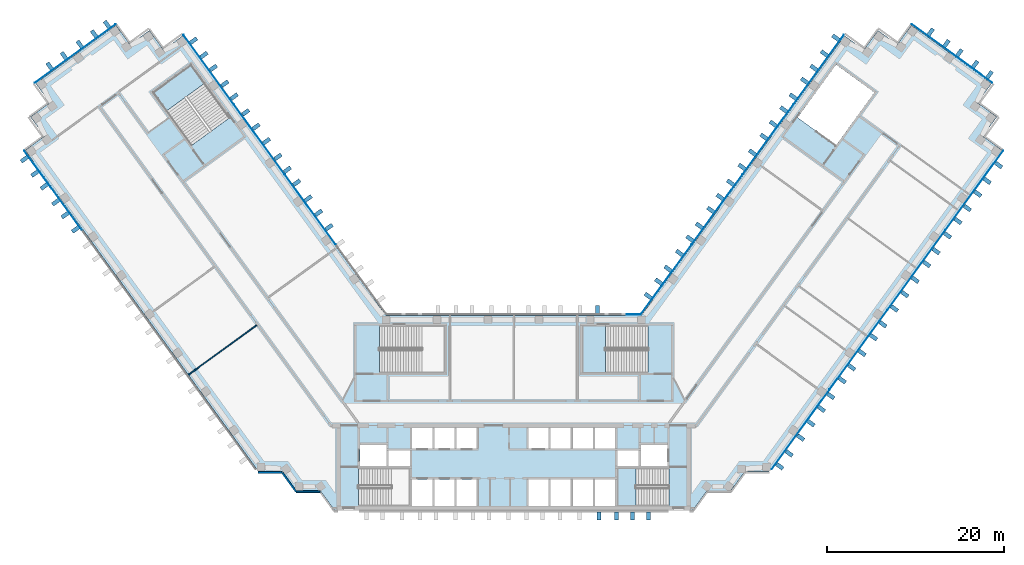
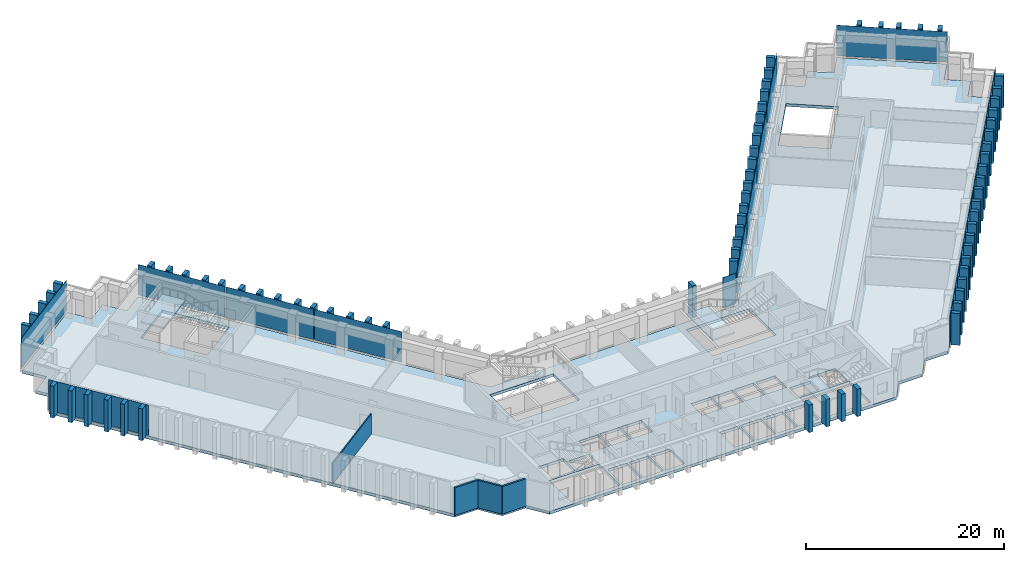
"""IFC4 building model written with IfcOpenShell, lengths in metres."""

from ifc_helpers import new_model, si_unit, direction, frame, frame_2d, origin, origin_2d, place, context, subcontext, project, spatial, polyline, rectangle, outline, extrude, material, layer, layer_set, type_object, element, aggregate, save


model = new_model("IFC4")

# Units and contexts
model_context = context("Model", 3, precision=1e-05, world=origin(), true_north=direction((0.0, 1.0)))
body_context = subcontext(model_context, "Body", "Model", "MODEL_VIEW")
ifc_project = project(units=[si_unit("LENGTHUNIT", "METRE"), si_unit("AREAUNIT", "SQUARE_METRE"), si_unit("VOLUMEUNIT", "CUBIC_METRE"), si_unit("PLANEANGLEUNIT", "RADIAN"), si_unit("MASSUNIT", "GRAM", prefix="KILO")], contexts=[model_context])

# Site, building, storey
site_placement = place(None, origin())
site = spatial("IfcSite", under=ifc_project, at=site_placement, CompositionType="ELEMENT")
building_placement = place(site_placement, origin())
building = spatial("IfcBuilding", under=site, at=building_placement, Name="Quipu Civic Tower", CompositionType="ELEMENT")
storey_1_placement = place(building_placement, frame((0.0, 0.0, 75.0)))
storey_1 = spatial("IfcBuildingStorey", under=building, at=storey_1_placement, Name="L17", CompositionType="ELEMENT", Elevation=75.0)

# Slab
ifc_material_1 = material(Name="Concrete C40/50", Category="concrete")
ifc_layer_1 = layer(ifc_material_1, 0.35009765625)
ifc_layer_set_1 = layer_set([ifc_layer_1], Name="Concrete C40/50")
slab_type_1 = type_object("IfcSlabType", Name="Floor slab 350 C40/50", PredefinedType="FLOOR", material=ifc_layer_set_1)
slab_1_placement = place(storey_1_placement, frame((0.0, 0.0, -0.35009765625)))
element("IfcSlab", 1, at=slab_1_placement, inside=storey_1, type_object=slab_type_1, Name="Floor slab L17", PredefinedType="FLOOR", context=body_context, shape_type="SweptSolid", body=[
    extrude(outline(polyline([(37.31494140625, 42.550048828125), (39.5, 40.9599609375), (41.0849609375, 43.14501953125), (43.27001953125, 41.56005859375), (44.860107421875, 43.739990234375), (53.919921875, 37.159912109375), (52.3349609375, 34.97509765625), (54.514892578125, 33.389892578125), (52.929931640625, 31.205078125), (55.114990234375, 29.614990234375), (28.780029296875, -6.6298828125), (26.080078125, -6.6298828125), (24.489990234375, -8.81494140625), (21.7900390625, -8.81494140625), (20.205078125, -11.0), (-20.205078125, -11.0), (-21.7900390625, -8.81494140625), (-24.489990234375, -8.81494140625), (-26.080078125, -6.6298828125), (-28.780029296875, -6.6298828125), (-55.114990234375, 29.614990234375), (-52.929931640625, 31.205078125), (-54.514892578125, 33.389892578125), (-52.3349609375, 34.97509765625), (-53.919921875, 37.159912109375), (-44.860107421875, 43.739990234375), (-43.27001953125, 41.56005859375), (-41.0849609375, 43.14501953125), (-39.5, 40.9599609375), (-37.31494140625, 42.550048828125), (-14.39501953125, 11.0), (14.39501953125, 11.0), (37.31494140625, 42.550048828125)]), holes=[polyline([(-11.449951171875, -7.5), (-11.449951171875, -10.5), (-9.14990234375, -10.5), (-9.14990234375, -7.5), (-11.449951171875, -7.5)]), polyline([(-6.64990234375, -7.5), (-8.949951171875, -7.5), (-8.949951171875, -10.5), (-6.64990234375, -10.5), (-6.64990234375, -7.5)]), polyline([(-4.14990234375, -7.5), (-6.449951171875, -7.5), (-6.449951171875, -10.5), (-4.14990234375, -10.5), (-4.14990234375, -7.5)]), polyline([(1.64990234375, -7.5), (1.64990234375, -10.5), (3.949951171875, -10.5), (3.949951171875, -7.5), (1.64990234375, -7.5)]), polyline([(-11.705078125, -10.4951171875), (-11.705078125, -6.2548828125), (-17.4951171875, -6.2548828125), (-17.4951171875, -10.4951171875), (-11.705078125, -10.4951171875)]), polyline([(-11.699951171875, -4.25), (-14.10009765625, -4.25), (-14.10009765625, -6.0), (-11.699951171875, -6.0), (-11.699951171875, -4.25)]), polyline([(-17.35009765625, -3.60009765625), (-17.35009765625, -6.0), (-14.35009765625, -6.0), (-14.35009765625, -3.60009765625), (-17.35009765625, -3.60009765625)]), polyline([(-9.14990234375, -1.699951171875), (-11.449951171875, -1.699951171875), (-11.449951171875, -4.0), (-9.14990234375, -4.0), (-9.14990234375, -1.699951171875)]), polyline([(-6.64990234375, -1.699951171875), (-8.949951171875, -1.699951171875), (-8.949951171875, -4.0), (-6.64990234375, -4.0), (-6.64990234375, -1.699951171875)]), polyline([(-6.449951171875, -1.699951171875), (-6.449951171875, -4.0), (-4.14990234375, -4.0), (-4.14990234375, -1.699951171875), (-6.449951171875, -1.699951171875)]), polyline([(-7.7548828125, 4.5048828125), (-7.7548828125, 9.844970703125), (-15.14501953125, 9.844970703125), (-15.14501953125, 4.5048828125), (-7.7548828125, 4.5048828125)]), polyline([(-36.364990234375, 39.27490234375), (-40.68505859375, 36.135009765625), (-36.344970703125, 30.159912109375), (-32.02490234375, 33.300048828125), (-36.364990234375, 39.27490234375)]), polyline([(4.14990234375, -7.5), (4.14990234375, -10.5), (6.449951171875, -10.5), (6.449951171875, -7.5), (4.14990234375, -7.5)]), polyline([(8.949951171875, -7.5), (6.64990234375, -7.5), (6.64990234375, -10.5), (8.949951171875, -10.5), (8.949951171875, -7.5)]), polyline([(11.449951171875, -7.5), (9.14990234375, -7.5), (9.14990234375, -10.5), (11.449951171875, -10.5), (11.449951171875, -7.5)]), polyline([(11.705078125, -10.4951171875), (17.4951171875, -10.4951171875), (17.4951171875, -6.2548828125), (11.705078125, -6.2548828125), (11.705078125, -10.4951171875)]), polyline([(14.10009765625, -4.25), (11.699951171875, -4.25), (11.699951171875, -6.0), (14.10009765625, -6.0), (14.10009765625, -4.25)]), polyline([(17.35009765625, -3.60009765625), (14.35009765625, -3.60009765625), (14.35009765625, -6.0), (17.35009765625, -6.0), (17.35009765625, -3.60009765625)]), polyline([(1.64990234375, -1.699951171875), (1.64990234375, -4.0), (3.949951171875, -4.0), (3.949951171875, -1.699951171875), (1.64990234375, -1.699951171875)]), polyline([(6.449951171875, -1.699951171875), (4.14990234375, -1.699951171875), (4.14990234375, -4.0), (6.449951171875, -4.0), (6.449951171875, -1.699951171875)]), polyline([(8.949951171875, -1.699951171875), (6.64990234375, -1.699951171875), (6.64990234375, -4.0), (8.949951171875, -4.0), (8.949951171875, -1.699951171875)]), polyline([(9.14990234375, -1.699951171875), (9.14990234375, -4.0), (11.449951171875, -4.0), (11.449951171875, -1.699951171875), (9.14990234375, -1.699951171875)]), polyline([(7.7548828125, 9.844970703125), (7.7548828125, 4.5048828125), (15.14501953125, 4.5048828125), (15.14501953125, 9.844970703125), (7.7548828125, 9.844970703125)]), polyline([(40.68505859375, 36.135009765625), (36.364990234375, 39.27490234375), (32.02490234375, 33.300048828125), (36.344970703125, 30.159912109375), (40.68505859375, 36.135009765625)])]), origin(), (0.0, 0.0, 1.0), 0.35009765625),
])

# Storey
storey_2_placement = place(building_placement, frame((0.0, 0.0, 71.0)))
storey_2 = spatial("IfcBuildingStorey", under=building, at=storey_2_placement, Name="L16", CompositionType="ELEMENT", Elevation=71.0)

# Curtain wall, plates
ifc_material_2 = material(Name="Insulated glass unit", Category="glass")
curtain_wall_type = type_object("IfcCurtainWallType", Name="Office curtain wall CW1", PredefinedType="NOTDEFINED", material=ifc_material_2)
curtain_wall_1_placement = place(storey_2_placement, origin())
curtain_wall_1 = element("IfcCurtainWall", 2, at=curtain_wall_1_placement, inside=storey_2, type_object=curtain_wall_type, Name="Office curtain wall CW1 L15 run 1", PredefinedType="NOTDEFINED")
ifc_material_3 = material(Name="Insulated glass unit", Category="glass")
ifc_layer_2 = layer(ifc_material_3, 0.028076171875)
ifc_layer_set_2 = layer_set([ifc_layer_2], Name="Insulated glass unit")
plate_type_1 = type_object("IfcPlateType", Name="Glass panel CW1", PredefinedType="CURTAIN_PANEL", material=ifc_layer_set_2)
plate_1_placement = place(storey_1_placement, frame((-22.950439453125, 22.9453125, 0.16015625), z_axis=(0.0, 0.0, 1.0), x_axis=(-0.587785887566, 0.809016532822, 0.0)))
plate_1 = element("IfcPlate", 3, at=plate_1_placement, inside=storey_1, type_object=plate_type_1, Name="CW1 panel 2.3", PredefinedType="CURTAIN_PANEL", context=body_context, shape_type="SweptSolid", body=[
    extrude(rectangle(XDim=9.68115234375, YDim=0.028076171875, at=origin_2d()), origin(), (0.0, 0.0, 1.0), 3.760009765625),
])
plate_2_placement = place(storey_1_placement, frame((-28.687744140625, 30.84228515625, 0.16015625), z_axis=(0.0, 0.0, 1.0), x_axis=(-0.587785887566, 0.809016532822, 0.0)))
plate_2 = element("IfcPlate", 4, at=plate_2_placement, inside=storey_1, type_object=plate_type_1, Name="CW1 panel 3.3", PredefinedType="CURTAIN_PANEL", context=body_context, shape_type="SweptSolid", body=[
    extrude(rectangle(XDim=9.68115234375, YDim=0.028076171875, at=origin_2d()), origin(), (0.0, 0.0, 1.0), 3.760009765625),
])
plate_3_placement = place(storey_1_placement, frame((-34.413330078125, 38.722900390625, 0.16015625), z_axis=(0.0, 0.0, 1.0), x_axis=(-0.587785887566, 0.809016532822, 0.0)))
plate_3 = element("IfcPlate", 5, at=plate_3_placement, inside=storey_1, type_object=plate_type_1, Name="CW1 panel 4.3", PredefinedType="CURTAIN_PANEL", context=body_context, shape_type="SweptSolid", body=[
    extrude(rectangle(XDim=9.64111328125, YDim=0.028076171875, at=origin_2d()), origin(), (0.0, 0.0, 1.0), 3.760009765625),
])
aggregate(curtain_wall_1, [plate_1, plate_2, plate_3])

# Curtain wall, plate
curtain_wall_2_placement = place(storey_2_placement, origin())
curtain_wall_2 = element("IfcCurtainWall", 6, at=curtain_wall_2_placement, inside=storey_2, type_object=curtain_wall_type, Name="Office curtain wall CW1 L15 run 6", PredefinedType="NOTDEFINED")
plate_4_placement = place(storey_1_placement, frame((-49.447998046875, 40.53173828125, 0.16015625), z_axis=(0.0, 0.0, 1.0), x_axis=(-0.809019348124, -0.587782012621, 0.0)))
plate_4 = element("IfcPlate", 7, at=plate_4_placement, inside=storey_1, type_object=plate_type_1, Name="CW1 panel 1.3", PredefinedType="CURTAIN_PANEL", context=body_context, shape_type="SweptSolid", body=[
    extrude(rectangle(XDim=11.239990234375, YDim=0.028076171875, at=origin_2d()), origin(), (0.0, 0.0, 1.0), 3.760009765625),
])
aggregate(curtain_wall_2, [plate_4])

curtain_wall_3_placement = place(storey_2_placement, origin())
curtain_wall_3 = element("IfcCurtainWall", 8, at=curtain_wall_3_placement, inside=storey_2, type_object=curtain_wall_type, Name="Office curtain wall CW1 L15 run 8", PredefinedType="NOTDEFINED")
plate_5_placement = place(storey_1_placement, frame((-51.967529296875, 25.114990234375, 0.16015625), z_axis=(0.0, 0.0, 1.0), x_axis=(0.587785559869, -0.809016770908, 0.0)))
plate_5 = element("IfcPlate", 9, at=plate_5_placement, inside=storey_1, type_object=plate_type_1, Name="CW1 panel 1.3", PredefinedType="CURTAIN_PANEL", context=body_context, shape_type="SweptSolid", body=[
    extrude(rectangle(XDim=11.022705078125, YDim=0.028076171875, at=origin_2d()), origin(), (0.0, 0.0, 1.0), 3.760009765625),
])
aggregate(curtain_wall_3, [plate_5])

# Curtain wall, plates
curtain_wall_4_placement = place(storey_2_placement, origin())
curtain_wall_4 = element("IfcCurtainWall", 10, at=curtain_wall_4_placement, inside=storey_2, type_object=curtain_wall_type, Name="Office curtain wall CW1 L15 run 20", PredefinedType="NOTDEFINED")
plate_6_placement = place(storey_1_placement, frame((32.342529296875, -1.896484375, 0.16015625), z_axis=(0.0, 0.0, 1.0), x_axis=(0.587785559869, 0.809016770908, 0.0)))
plate_6 = element("IfcPlate", 11, at=plate_6_placement, inside=storey_1, type_object=plate_type_1, Name="CW1 panel 1.3", PredefinedType="CURTAIN_PANEL", context=body_context, shape_type="SweptSolid", body=[
    extrude(rectangle(XDim=11.022705078125, YDim=0.028076171875, at=origin_2d()), origin(), (0.0, 0.0, 1.0), 3.760009765625),
])
plate_7_placement = place(storey_1_placement, frame((38.880126953125, 7.101806640625, 0.16015625), z_axis=(0.0, 0.0, 1.0), x_axis=(0.587785559869, 0.809016770908, 0.0)))
plate_7 = element("IfcPlate", 12, at=plate_7_placement, inside=storey_1, type_object=plate_type_1, Name="CW1 panel 2.3", PredefinedType="CURTAIN_PANEL", context=body_context, shape_type="SweptSolid", body=[
    extrude(rectangle(XDim=11.062744140625, YDim=0.028076171875, at=origin_2d()), origin(), (0.0, 0.0, 1.0), 3.760009765625),
])
plate_8_placement = place(storey_1_placement, frame((45.4296875, 16.11669921875, 0.16015625), z_axis=(0.0, 0.0, 1.0), x_axis=(0.587785559869, 0.809016770908, 0.0)))
plate_8 = element("IfcPlate", 13, at=plate_8_placement, inside=storey_1, type_object=plate_type_1, Name="CW1 panel 3.3", PredefinedType="CURTAIN_PANEL", context=body_context, shape_type="SweptSolid", body=[
    extrude(rectangle(XDim=11.062744140625, YDim=0.028076171875, at=origin_2d()), origin(), (0.0, 0.0, 1.0), 3.760009765625),
])
plate_9_placement = place(storey_1_placement, frame((51.967529296875, 25.114990234375, 0.16015625), z_axis=(0.0, 0.0, 1.0), x_axis=(0.587785559869, 0.809016770908, 0.0)))
plate_9 = element("IfcPlate", 14, at=plate_9_placement, inside=storey_1, type_object=plate_type_1, Name="CW1 panel 4.3", PredefinedType="CURTAIN_PANEL", context=body_context, shape_type="SweptSolid", body=[
    extrude(rectangle(XDim=11.022705078125, YDim=0.028076171875, at=origin_2d()), origin(), (0.0, 0.0, 1.0), 3.760009765625),
])
aggregate(curtain_wall_4, [plate_6, plate_7, plate_8, plate_9])

# Curtain wall, plate
curtain_wall_5_placement = place(storey_2_placement, origin())
curtain_wall_5 = element("IfcCurtainWall", 15, at=curtain_wall_5_placement, inside=storey_2, type_object=curtain_wall_type, Name="Office curtain wall CW1 L15 run 25", PredefinedType="NOTDEFINED")
plate_10_placement = place(storey_1_placement, frame((49.447998046875, 40.53173828125, 0.16015625), z_axis=(0.0, 0.0, 1.0), x_axis=(-0.809019348124, 0.587782012621, 0.0)))
plate_10 = element("IfcPlate", 16, at=plate_10_placement, inside=storey_1, type_object=plate_type_1, Name="CW1 panel 1.3", PredefinedType="CURTAIN_PANEL", context=body_context, shape_type="SweptSolid", body=[
    extrude(rectangle(XDim=11.239990234375, YDim=0.028076171875, at=origin_2d()), origin(), (0.0, 0.0, 1.0), 3.760009765625),
])
aggregate(curtain_wall_5, [plate_10])

# Curtain wall, plates
curtain_wall_6_placement = place(storey_2_placement, origin())
curtain_wall_6 = element("IfcCurtainWall", 17, at=curtain_wall_6_placement, inside=storey_2, type_object=curtain_wall_type, Name="Office curtain wall CW1 L15 run 30", PredefinedType="NOTDEFINED")
plate_11_placement = place(storey_1_placement, frame((34.413330078125, 38.722900390625, 0.16015625), z_axis=(0.0, 0.0, 1.0), x_axis=(-0.587785887566, -0.809016532822, 0.0)))
plate_11 = element("IfcPlate", 18, at=plate_11_placement, inside=storey_1, type_object=plate_type_1, Name="CW1 panel 1.3", PredefinedType="CURTAIN_PANEL", context=body_context, shape_type="SweptSolid", body=[
    extrude(rectangle(XDim=9.64111328125, YDim=0.028076171875, at=origin_2d()), origin(), (0.0, 0.0, 1.0), 3.760009765625),
])
plate_12_placement = place(storey_1_placement, frame((28.687744140625, 30.84228515625, 0.16015625), z_axis=(0.0, 0.0, 1.0), x_axis=(-0.587785887566, -0.809016532822, 0.0)))
plate_12 = element("IfcPlate", 19, at=plate_12_placement, inside=storey_1, type_object=plate_type_1, Name="CW1 panel 2.3", PredefinedType="CURTAIN_PANEL", context=body_context, shape_type="SweptSolid", body=[
    extrude(rectangle(XDim=9.68115234375, YDim=0.028076171875, at=origin_2d()), origin(), (0.0, 0.0, 1.0), 3.760009765625),
])
plate_13_placement = place(storey_1_placement, frame((22.950439453125, 22.9453125, 0.16015625), z_axis=(0.0, 0.0, 1.0), x_axis=(-0.587785887566, -0.809016532822, 0.0)))
plate_13 = element("IfcPlate", 20, at=plate_13_placement, inside=storey_1, type_object=plate_type_1, Name="CW1 panel 3.3", PredefinedType="CURTAIN_PANEL", context=body_context, shape_type="SweptSolid", body=[
    extrude(rectangle(XDim=9.68115234375, YDim=0.028076171875, at=origin_2d()), origin(), (0.0, 0.0, 1.0), 3.760009765625),
])
plate_14_placement = place(storey_1_placement, frame((17.224609375, 15.064697265625, 0.16015625), z_axis=(0.0, 0.0, 1.0), x_axis=(-0.587785887566, -0.809016532822, 0.0)))
plate_14 = element("IfcPlate", 21, at=plate_14_placement, inside=storey_1, type_object=plate_type_1, Name="CW1 panel 4.3", PredefinedType="CURTAIN_PANEL", context=body_context, shape_type="SweptSolid", body=[
    extrude(rectangle(XDim=9.64111328125, YDim=0.028076171875, at=origin_2d()), origin(), (0.0, 0.0, 1.0), 3.760009765625),
])
aggregate(curtain_wall_6, [plate_11, plate_12, plate_13, plate_14])

# Curtain wall, plate
curtain_wall_7_placement = place(storey_2_placement, origin())
curtain_wall_7 = element("IfcCurtainWall", 22, at=curtain_wall_7_placement, inside=storey_2, type_object=curtain_wall_type, Name="Office curtain wall CW1 L15 run 31", PredefinedType="NOTDEFINED")
plate_15_placement = place(storey_1_placement, frame((13.49951171875, 11.10009765625, 0.16015625), z_axis=(0.0, 0.0, 1.0), x_axis=(-1.0, 0.0, 0.0)))
plate_15 = element("IfcPlate", 23, at=plate_15_placement, inside=storey_1, type_object=plate_type_1, Name="CW1 panel 1.3", PredefinedType="CURTAIN_PANEL", context=body_context, shape_type="SweptSolid", body=[
    extrude(rectangle(XDim=1.529296875, YDim=0.028076171875, at=origin_2d()), origin(), (0.0, 0.0, 1.0), 3.760009765625),
])
aggregate(curtain_wall_7, [plate_15])

# Plates
ifc_material_4 = material(Name="Precast concrete C40/50", Category="concrete")
plate_type_2 = type_object("IfcPlateType", Name="Precast fin F1", PredefinedType="SHEET", material=ifc_material_4)
for number, where, z_axis, x_axis, name in (
    (24, (-20.81982421875, 20.94873046875, 0.080078125), (0.0, 0.0, 1.0), (-0.587784944053, 0.809017218324, 0.0), "Precast fin F1 L17.P01.6"),
    (25, (-21.995361328125, 22.566650390625, 0.080078125), (0.0, 0.0, 1.0), (-0.587784944053, 0.809017218324, 0.0), "Precast fin F1 L17.P01.7"),
    (26, (-23.171142578125, 24.184814453125, 0.080078125), (0.0, 0.0, 1.0), (-0.587784944053, 0.809017218324, 0.0), "Precast fin F1 L17.P01.8"),
    (27, (-24.464111328125, 25.964599609375, 0.080078125), (0.0, 0.0, 1.0), (-0.587784944053, 0.809017218324, 0.0), "Precast fin F1 L17.P01.9"),
    (28, (-25.522216796875, 27.4208984375, 0.080078125), (0.0, 0.0, 1.0), (-0.587784944053, 0.809017218324, 0.0), "Precast fin F1 L17.P01.10"),
    (29, (-26.580078125, 28.876953125, 0.080078125), (0.0, 0.0, 1.0), (-0.587784944053, 0.809017218324, 0.0), "Precast fin F1 L17.P01.11"),
    (30, (-27.873291015625, 30.656982421875, 0.080078125), (0.0, 0.0, 1.0), (-0.587784944053, 0.809017218324, 0.0), "Precast fin F1 L17.P01.12"),
    (31, (-29.048828125, 32.27490234375, 0.080078125), (0.0, 0.0, 1.0), (-0.587784944053, 0.809017218324, 0.0), "Precast fin F1 L17.P01.13"),
    (32, (-30.224365234375, 33.89306640625, 0.080078125), (0.0, 0.0, 1.0), (-0.587784944053, 0.809017218324, 0.0), "Precast fin F1 L17.P01.14"),
    (33, (-31.517578125, 35.6728515625, 0.080078125), (0.0, 0.0, 1.0), (-0.587784944053, 0.809017218324, 0.0), "Precast fin F1 L17.P01.15"),
    (34, (-32.57568359375, 37.129150390625, 0.080078125), (0.0, 0.0, 1.0), (-0.587784944053, 0.809017218324, 0.0), "Precast fin F1 L17.P01.16"),
    (35, (-33.86865234375, 38.908935546875, 0.080078125), (0.0, 0.0, 1.0), (-0.587784944053, 0.809017218324, 0.0), "Precast fin F1 L17.P01.17"),
    (36, (-34.9267578125, 40.364990234375, 0.080078125), (0.0, 0.0, 1.0), (-0.587784944053, 0.809017218324, 0.0), "Precast fin F1 L17.P01.18"),
    (37, (-36.102294921875, 41.983154296875, 0.080078125), (0.0, 0.0, 1.0), (-0.587784944053, 0.809017218324, 0.0), "Precast fin F1 L17.P01.19"),
    (38, (-45.867919921875, 43.812744140625, 0.080078125), (0.0, 0.0, 1.0), (-0.809021318545, -0.587779300537, 0.0), "Precast fin F1 L17.P06.1"),
    (39, (-47.323974609375, 42.754638671875, 0.080078125), (0.0, 0.0, 1.0), (-0.809021318545, -0.587779300537, 0.0), "Precast fin F1 L17.P06.2"),
    (40, (-48.942138671875, 41.5791015625, 0.080078125), (0.0, 0.0, 1.0), (-0.809021318545, -0.587779300537, 0.0), "Precast fin F1 L17.P06.3"),
    (41, (-50.721923828125, 40.2861328125, 0.080078125), (0.0, 0.0, 1.0), (-0.809021318545, -0.587779300537, 0.0), "Precast fin F1 L17.P06.4"),
    (42, (-52.340087890625, 39.110595703125, 0.080078125), (0.0, 0.0, 1.0), (-0.809021318545, -0.587779300537, 0.0), "Precast fin F1 L17.P06.5"),
    (43, (-55.184814453125, 28.607421875, 0.080078125), (0.0, 0.0, 1.0), (0.587785716149, -0.809016657363, 0.0), "Precast fin F1 L17.P08.1"),
    (44, (-54.00927734375, 26.989501953125, 0.080078125), (0.0, 0.0, 1.0), (0.587785716149, -0.809016657363, 0.0), "Precast fin F1 L17.P08.2"),
    (45, (-52.951171875, 25.533203125, 0.080078125), (0.0, 0.0, 1.0), (0.587785716149, -0.809016657363, 0.0), "Precast fin F1 L17.P08.3"),
    (46, (-51.657958984375, 23.75341796875, 0.080078125), (0.0, 0.0, 1.0), (0.587785716149, -0.809016657363, 0.0), "Precast fin F1 L17.P08.4"),
    (47, (-50.60009765625, 22.297119140625, 0.080078125), (0.0, 0.0, 1.0), (0.587785716149, -0.809016657363, 0.0), "Precast fin F1 L17.P08.5"),
    (48, (-49.42431640625, 20.67919921875, 0.080078125), (0.0, 0.0, 1.0), (0.587785716149, -0.809016657363, 0.0), "Precast fin F1 L17.P08.6"),
):
    element("IfcPlate", number, at=place(storey_1_placement, frame(where, z_axis=z_axis, x_axis=x_axis)), inside=storey_1, type_object=plate_type_2, Name=name, PredefinedType="SHEET", context=body_context, shape_type="SweptSolid", body=[
        extrude(rectangle(XDim=0.449951171875, YDim=0.89990234375, at=origin_2d()), origin(), (0.0, 0.0, 1.0), 3.919921875),
    ])
for number, where, z_axis, x_axis, name in (
    (49, (9.625, -11.637939453125, 0.0), (0.0, 0.0, 1.0), (1.0, 0.0, 0.0), "Precast fin F1 L17.P15.14"),
    (50, (11.625, -11.637939453125, 0.0), (0.0, 0.0, 1.0), (1.0, 0.0, 0.0), "Precast fin F1 L17.P15.15"),
    (51, (13.425048828125, -11.637939453125, 0.0), (0.0, 0.0, 1.0), (1.0, 0.0, 0.0), "Precast fin F1 L17.P15.16"),
    (52, (15.22509765625, -11.637939453125, 0.0), (0.0, 0.0, 1.0), (1.0, 0.0, 0.0), "Precast fin F1 L17.P15.17"),
):
    element("IfcPlate", number, at=place(storey_1_placement, frame(where, z_axis=z_axis, x_axis=x_axis)), inside=storey_1, type_object=plate_type_2, Name=name, PredefinedType="SHEET", context=body_context, shape_type="SweptSolid", body=[
        extrude(rectangle(XDim=0.449951171875, YDim=0.89990234375, at=origin_2d()), origin(), (0.0, 0.0, 1.0), 3.39990234375),
    ])
for number, where, z_axis, x_axis, name in (
    (53, (30.014892578125, -6.03564453125, 0.080078125), (0.0, 0.0, 1.0), (0.587785716149, 0.809016657363, 0.0), "Precast fin F1 L17.P21.1"),
    (54, (31.072998046875, -4.57958984375, 0.080078125), (0.0, 0.0, 1.0), (0.587785716149, 0.809016657363, 0.0), "Precast fin F1 L17.P21.2"),
    (55, (32.365966796875, -2.7998046875, 0.080078125), (0.0, 0.0, 1.0), (0.587785716149, 0.809016657363, 0.0), "Precast fin F1 L17.P21.3"),
    (56, (33.541748046875, -1.181640625, 0.080078125), (0.0, 0.0, 1.0), (0.587785716149, 0.809016657363, 0.0), "Precast fin F1 L17.P21.4"),
    (57, (34.71728515625, 0.436279296875, 0.080078125), (0.0, 0.0, 1.0), (0.587785716149, 0.809016657363, 0.0), "Precast fin F1 L17.P21.5"),
    (58, (35.775146484375, 1.892578125, 0.080078125), (0.0, 0.0, 1.0), (0.587785716149, 0.809016657363, 0.0), "Precast fin F1 L17.P21.6"),
    (59, (37.068359375, 3.67236328125, 0.080078125), (0.0, 0.0, 1.0), (0.587785716149, 0.809016657363, 0.0), "Precast fin F1 L17.P21.7"),
    (60, (38.12646484375, 5.128662109375, 0.080078125), (0.0, 0.0, 1.0), (0.587785716149, 0.809016657363, 0.0), "Precast fin F1 L17.P21.8"),
    (61, (39.302001953125, 6.74658203125, 0.080078125), (0.0, 0.0, 1.0), (0.587785716149, 0.809016657363, 0.0), "Precast fin F1 L17.P21.9"),
    (62, (40.594970703125, 8.526611328125, 0.080078125), (0.0, 0.0, 1.0), (0.587785716149, 0.809016657363, 0.0), "Precast fin F1 L17.P21.10"),
    (63, (41.653076171875, 9.982666015625, 0.080078125), (0.0, 0.0, 1.0), (0.587785716149, 0.809016657363, 0.0), "Precast fin F1 L17.P21.11"),
    (64, (42.9462890625, 11.7626953125, 0.080078125), (0.0, 0.0, 1.0), (0.587785716149, 0.809016657363, 0.0), "Precast fin F1 L17.P21.12"),
    (65, (44.121826171875, 13.380615234375, 0.080078125), (0.0, 0.0, 1.0), (0.587785716149, 0.809016657363, 0.0), "Precast fin F1 L17.P21.13"),
    (66, (45.29736328125, 14.998779296875, 0.080078125), (0.0, 0.0, 1.0), (0.587785716149, 0.809016657363, 0.0), "Precast fin F1 L17.P21.14"),
    (67, (46.590576171875, 16.778564453125, 0.080078125), (0.0, 0.0, 1.0), (0.587785716149, 0.809016657363, 0.0), "Precast fin F1 L17.P21.15"),
    (68, (47.6484375, 18.234619140625, 0.080078125), (0.0, 0.0, 1.0), (0.587785716149, 0.809016657363, 0.0), "Precast fin F1 L17.P21.16"),
    (69, (48.941650390625, 20.0146484375, 0.080078125), (0.0, 0.0, 1.0), (0.587785716149, 0.809016657363, 0.0), "Precast fin F1 L17.P21.17"),
    (70, (50.1171875, 21.632568359375, 0.080078125), (0.0, 0.0, 1.0), (0.587785716149, 0.809016657363, 0.0), "Precast fin F1 L17.P21.18"),
    (71, (51.17529296875, 23.0888671875, 0.080078125), (0.0, 0.0, 1.0), (0.587785716149, 0.809016657363, 0.0), "Precast fin F1 L17.P21.19"),
    (72, (52.350830078125, 24.706787109375, 0.080078125), (0.0, 0.0, 1.0), (0.587785716149, 0.809016657363, 0.0), "Precast fin F1 L17.P21.20"),
    (73, (53.40869140625, 26.1630859375, 0.080078125), (0.0, 0.0, 1.0), (0.587785716149, 0.809016657363, 0.0), "Precast fin F1 L17.P21.21"),
    (74, (54.701904296875, 27.94287109375, 0.080078125), (0.0, 0.0, 1.0), (0.587785716149, 0.809016657363, 0.0), "Precast fin F1 L17.P21.22"),
    (75, (53.6748046875, 38.140625, 0.080078125), (0.0, 0.0, 1.0), (-0.809021318545, 0.587779300537, 0.0), "Precast fin F1 L17.P26.1"),
    (76, (52.056884765625, 39.316162109375, 0.080078125), (0.0, 0.0, 1.0), (-0.809021318545, 0.587779300537, 0.0), "Precast fin F1 L17.P26.2"),
    (77, (50.27685546875, 40.609375, 0.080078125), (0.0, 0.0, 1.0), (-0.809021318545, 0.587779300537, 0.0), "Precast fin F1 L17.P26.3"),
    (78, (48.82080078125, 41.66748046875, 0.080078125), (0.0, 0.0, 1.0), (-0.809021318545, 0.587779300537, 0.0), "Precast fin F1 L17.P26.4"),
    (79, (47.040771484375, 42.96044921875, 0.080078125), (0.0, 0.0, 1.0), (-0.809021318545, 0.587779300537, 0.0), "Precast fin F1 L17.P26.5"),
    (80, (36.334716796875, 42.302978515625, 0.080078125), (0.0, 0.0, 1.0), (-0.587784944053, -0.809017218324, 0.0), "Precast fin F1 L17.P31.1"),
    (81, (35.04150390625, 40.52294921875, 0.080078125), (0.0, 0.0, 1.0), (-0.587784944053, -0.809017218324, 0.0), "Precast fin F1 L17.P31.2"),
    (82, (33.865966796875, 38.905029296875, 0.080078125), (0.0, 0.0, 1.0), (-0.587784944053, -0.809017218324, 0.0), "Precast fin F1 L17.P31.3"),
    (83, (32.807861328125, 37.44873046875, 0.080078125), (0.0, 0.0, 1.0), (-0.587784944053, -0.809017218324, 0.0), "Precast fin F1 L17.P31.4"),
    (84, (31.5146484375, 35.6689453125, 0.080078125), (0.0, 0.0, 1.0), (-0.587784944053, -0.809017218324, 0.0), "Precast fin F1 L17.P31.5"),
    (85, (30.456787109375, 34.212646484375, 0.080078125), (0.0, 0.0, 1.0), (-0.587784944053, -0.809017218324, 0.0), "Precast fin F1 L17.P31.6"),
    (86, (29.28125, 32.5947265625, 0.080078125), (0.0, 0.0, 1.0), (-0.587784944053, -0.809017218324, 0.0), "Precast fin F1 L17.P31.7"),
    (87, (28.22314453125, 31.138427734375, 0.080078125), (0.0, 0.0, 1.0), (-0.587784944053, -0.809017218324, 0.0), "Precast fin F1 L17.P31.8"),
    (88, (26.929931640625, 29.358642578125, 0.080078125), (0.0, 0.0, 1.0), (-0.587784944053, -0.809017218324, 0.0), "Precast fin F1 L17.P31.9"),
    (89, (25.75439453125, 27.740478515625, 0.080078125), (0.0, 0.0, 1.0), (-0.587784944053, -0.809017218324, 0.0), "Precast fin F1 L17.P31.10"),
    (90, (24.46142578125, 25.960693359375, 0.080078125), (0.0, 0.0, 1.0), (-0.587784944053, -0.809017218324, 0.0), "Precast fin F1 L17.P31.11"),
    (91, (23.285888671875, 24.3427734375, 0.080078125), (0.0, 0.0, 1.0), (-0.587784944053, -0.809017218324, 0.0), "Precast fin F1 L17.P31.12"),
    (92, (22.227783203125, 22.886474609375, 0.080078125), (0.0, 0.0, 1.0), (-0.587784944053, -0.809017218324, 0.0), "Precast fin F1 L17.P31.13"),
    (93, (20.9345703125, 21.106689453125, 0.080078125), (0.0, 0.0, 1.0), (-0.587784944053, -0.809017218324, 0.0), "Precast fin F1 L17.P31.14"),
    (94, (19.876708984375, 19.650390625, 0.080078125), (0.0, 0.0, 1.0), (-0.587784944053, -0.809017218324, 0.0), "Precast fin F1 L17.P31.15"),
    (95, (18.701171875, 18.032470703125, 0.080078125), (0.0, 0.0, 1.0), (-0.587784944053, -0.809017218324, 0.0), "Precast fin F1 L17.P31.16"),
    (96, (17.407958984375, 16.25244140625, 0.080078125), (0.0, 0.0, 1.0), (-0.587784944053, -0.809017218324, 0.0), "Precast fin F1 L17.P31.17"),
    (97, (16.349853515625, 14.79638671875, 0.080078125), (0.0, 0.0, 1.0), (-0.587784944053, -0.809017218324, 0.0), "Precast fin F1 L17.P31.18"),
    (98, (15.17431640625, 13.17822265625, 0.080078125), (0.0, 0.0, 1.0), (-0.587784944053, -0.809017218324, 0.0), "Precast fin F1 L17.P31.19"),
    (99, (9.47509765625, 11.64990234375, 0.080078125), (0.0, 0.0, 1.0), (-1.0, 0.0, 0.0), "Precast fin F1 L17.P34.1"),
):
    element("IfcPlate", number, at=place(storey_1_placement, frame(where, z_axis=z_axis, x_axis=x_axis)), inside=storey_1, type_object=plate_type_2, Name=name, PredefinedType="SHEET", context=body_context, shape_type="SweptSolid", body=[
        extrude(rectangle(XDim=0.449951171875, YDim=0.89990234375, at=origin_2d()), origin(), (0.0, 0.0, 1.0), 3.919921875),
    ])

# Stair, slab
ifc_material_5 = material(Name="Concrete C40/50", Category="concrete")
stair_type_1 = type_object("IfcStairType", Name="Half turn stair 2000", PredefinedType="HALF_TURN_STAIR", material=ifc_material_5)
stair_1_placement = place(storey_1_placement, origin())
stair_1 = element("IfcStair", 100, at=stair_1_placement, inside=storey_1, type_object=stair_type_1, Name="Exit stair 2", PredefinedType="HALF_TURN_STAIR")
ifc_material_6 = material(Name="Concrete C40/50", Category="concrete")
ifc_layer_3 = layer(ifc_material_6, 0.199951171875)
ifc_layer_set_3 = layer_set([ifc_layer_3], Name="Concrete C40/50")
slab_type_2 = type_object("IfcSlabType", Name="Stair landing 200", PredefinedType="LANDING", material=ifc_layer_set_3)
slab_2_placement = place(storey_1_placement, frame((0.0, 0.0, 1.800048828125)))
slab_2 = element("IfcSlab", 101, at=slab_2_placement, type_object=slab_type_2, Name="ST-2 landing 1", PredefinedType="LANDING", context=body_context, shape_type="SweptSolid", body=[
    extrude(outline(polyline([(13.780029296875, -6.25), (11.699951171875, -6.25), (11.699951171875, -10.5), (13.780029296875, -10.5), (13.780029296875, -6.25)])), origin(), (0.0, 0.0, 1.0), 0.199951171875),
])
aggregate(stair_1, [slab_2])

ifc_material_7 = material(Name="Concrete C40/50", Category="concrete")
stair_type_2 = type_object("IfcStairType", Name="Half turn stair 2600", PredefinedType="HALF_TURN_STAIR", material=ifc_material_7)
stair_2_placement = place(storey_1_placement, origin())
stair_2 = element("IfcStair", 102, at=stair_2_placement, inside=storey_1, type_object=stair_type_2, Name="Exit stair 4", PredefinedType="HALF_TURN_STAIR")
slab_3_placement = place(storey_1_placement, frame((0.0, 0.0, 1.800048828125)))
slab_3 = element("IfcSlab", 103, at=slab_3_placement, type_object=slab_type_2, Name="ST-4 landing 1", PredefinedType="LANDING", context=body_context, shape_type="SweptSolid", body=[
    extrude(outline(polyline([(10.35009765625, 9.85009765625), (7.75, 9.85009765625), (7.75, 4.5), (10.35009765625, 4.5), (10.35009765625, 9.85009765625)])), origin(), (0.0, 0.0, 1.0), 0.199951171875),
])
aggregate(stair_2, [slab_3])

stair_3_placement = place(storey_1_placement, origin())
stair_3 = element("IfcStair", 104, at=stair_3_placement, inside=storey_1, type_object=stair_type_2, Name="Exit stair 6", PredefinedType="HALF_TURN_STAIR")
slab_4_placement = place(storey_1_placement, frame((0.0, 0.0, 1.800048828125)))
slab_4 = element("IfcSlab", 105, at=slab_4_placement, type_object=slab_type_2, Name="ST-6 landing 1", PredefinedType="LANDING", context=body_context, shape_type="SweptSolid", body=[
    extrude(outline(polyline([(-34.837158203125, 37.179443359375), (-36.365478515625, 39.282958984375), (-40.69384765625, 36.138427734375), (-39.16552734375, 34.034912109375), (-34.837158203125, 37.179443359375)])), origin(), (0.0, 0.0, 1.0), 0.199951171875),
])
aggregate(stair_3, [slab_4])

# Walls
ifc_material_8 = material(Name="Gypsum plasterboard on light gauge framing")
ifc_layer_4 = layer(ifc_material_8, 0.1201171875)
ifc_layer_set_4 = layer_set([ifc_layer_4], Name="Gypsum plasterboard on light gauge framing")
wall_type_1 = type_object("IfcWallType", Name="Partition 120 plasterboard", PredefinedType="PARTITIONING", material=ifc_layer_set_4)
wall_1_placement = place(storey_1_placement, frame((-28.976318359375, 9.8876953125, 0.0), z_axis=(0.0, 0.0, 1.0), x_axis=(-0.808998008689, -0.58781138296, 0.0)))
element("IfcWall", 106, at=wall_1_placement, inside=storey_1, type_object=wall_type_1, Name="Partition P09", PredefinedType="PARTITIONING", context=body_context, shape_type="SweptSolid", body=[
    extrude(rectangle(XDim=9.5498046875, YDim=0.1201171875, at=frame_2d((4.77490234375, 0.0))), origin(), (0.0, 0.0, 1.0), 2.5),
])
ifc_material_9 = material(Name="Precast concrete C40/50", Category="concrete")
wall_type_2 = type_object("IfcWallType", Name="Precast cladding wall", PredefinedType="SOLIDWALL", material=ifc_material_9)
wall_2_placement = place(storey_1_placement, frame((-28.829833984375, -6.71923828125, 0.0), z_axis=(0.0, 0.0, 1.0), x_axis=(1.0, 0.0, 0.0)))
element("IfcWall", 107, at=wall_2_placement, inside=storey_1, type_object=wall_type_2, Name="Precast cladding wall L17 P09", PredefinedType="SOLIDWALL", context=body_context, shape_type="SweptSolid", body=[
    extrude(rectangle(XDim=2.699951171875, YDim=0.199951171875, at=frame_2d((1.35009765625, 0.0))), origin(), (0.0, 0.0, 1.0), 3.39990234375),
])
wall_3_placement = place(storey_1_placement, frame((-26.1201171875, -6.72412109375, 0.0), z_axis=(0.0, 0.0, 1.0), x_axis=(0.587720002413, -0.809064397168, 0.0)))
element("IfcWall", 108, at=wall_3_placement, inside=storey_1, type_object=wall_type_2, Name="Precast cladding wall L17 P10", PredefinedType="SOLIDWALL", context=body_context, shape_type="SweptSolid", body=[
    extrude(rectangle(XDim=2.7001953125, YDim=0.199951171875, at=frame_2d((1.35009765625, 0.0))), origin(), (0.0, 0.0, 1.0), 3.39990234375),
])
wall_4_placement = place(storey_1_placement, frame((-24.542724609375, -8.90380859375, 0.0), z_axis=(0.0, 0.0, 1.0), x_axis=(1.0, 0.0, 0.0)))
element("IfcWall", 109, at=wall_4_placement, inside=storey_1, type_object=wall_type_2, Name="Precast cladding wall L17 P11", PredefinedType="SOLIDWALL", context=body_context, shape_type="SweptSolid", body=[
    extrude(rectangle(XDim=2.699951171875, YDim=0.199951171875, at=frame_2d((1.35009765625, 0.0))), origin(), (0.0, 0.0, 1.0), 3.39990234375),
])

save(model, "model.ifc")
